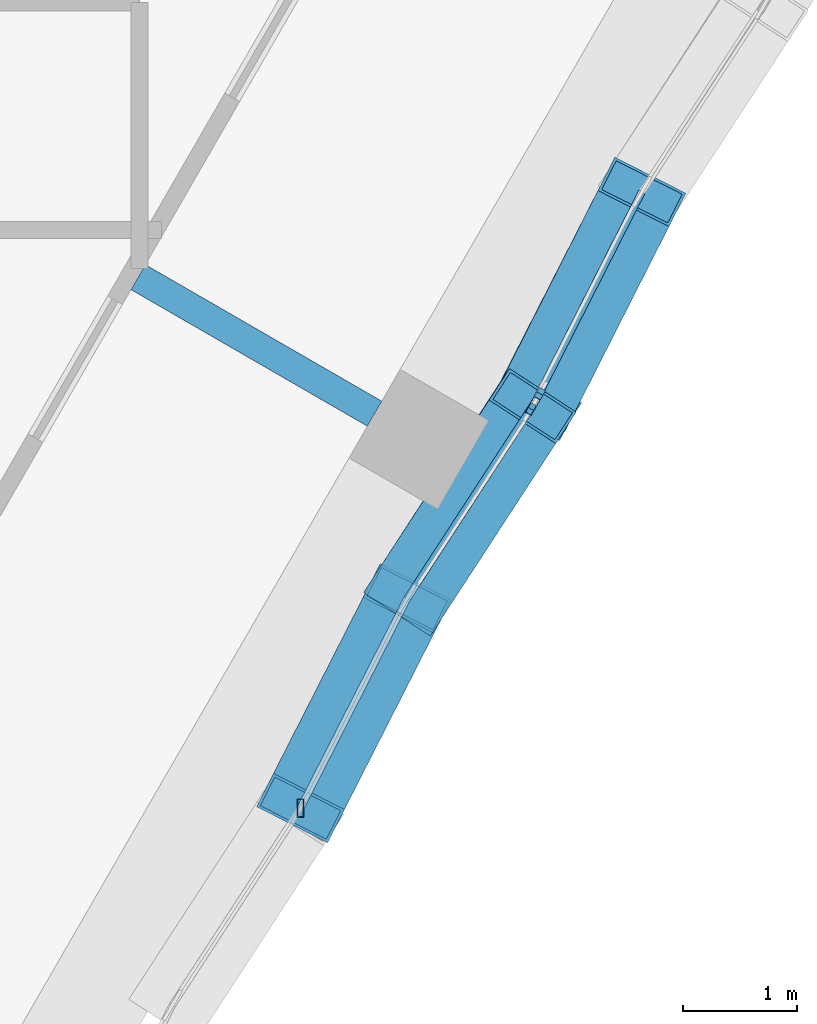
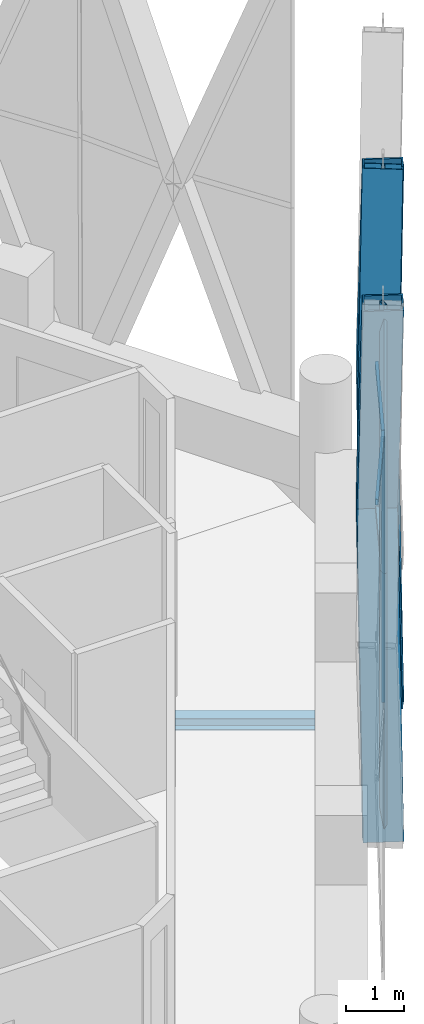
# One storey, part 8 of 18: 13 members, 1 beam, 2 elements without a shape of their own.
"""IFC4 building model written with IfcOpenShell, lengths in metres."""

from ifc_helpers import new_model, si_unit, direction, frame, origin, origin_2d, place, context, subcontext, project, spatial, hollow_rectangle, i_section, extrude, material, material_profile, profile_set, type_object, element, aggregate, save


model = new_model("IFC4")

# Units and contexts
model_context = context("Model", 3, precision=1e-05, world=origin(), true_north=direction((0.0, 1.0)))
body_context = subcontext(model_context, "Body", "Model", "MODEL_VIEW")
ifc_project = project(units=[si_unit("LENGTHUNIT", "METRE"), si_unit("AREAUNIT", "SQUARE_METRE"), si_unit("VOLUMEUNIT", "CUBIC_METRE"), si_unit("PLANEANGLEUNIT", "RADIAN"), si_unit("MASSUNIT", "GRAM", prefix="KILO")], contexts=[model_context])

# Site, building, storey
site_placement = place(None, origin())
site = spatial("IfcSite", under=ifc_project, at=site_placement, CompositionType="ELEMENT")
building_placement = place(site_placement, origin())
building = spatial("IfcBuilding", under=site, at=building_placement, Name="Ostrander Bayou Hotel Tower", CompositionType="ELEMENT")
storey_placement = place(building_placement, frame((0.0, 0.0, 214.5)))
storey = spatial("IfcBuildingStorey", under=building, at=storey_placement, Name="L53", CompositionType="ELEMENT", Elevation=214.5)

# Curtain wall, members
ifc_material_1 = material(Name="Aluminium and clear glass", Category="aluminium")
curtain_wall_type = type_object("IfcCurtainWallType", Name="CW-LAT lattice glazing", PredefinedType="NOTDEFINED", material=ifc_material_1)
curtain_wall_1_placement = place(storey_placement, origin())
curtain_wall_1 = element("IfcCurtainWall", 1, at=curtain_wall_1_placement, inside=storey, type_object=curtain_wall_type, Name="CW-LAT L53 SE 1", PredefinedType="NOTDEFINED")
ifc_material_2 = material(Name="Aluminium", Category="aluminium")
ifc_material_profile_1 = material_profile(ifc_material_2, hollow_rectangle(XDim=0.06005859375, YDim=0.159912109375, WallThickness=0.00390625, at=origin_2d()))
ifc_profile_set_1 = profile_set([ifc_material_profile_1], Name="Aluminium")
member_type_1 = type_object("IfcMemberType", Name="CW-LA mullion 60 x 160 mm", PredefinedType="MULLION", material=ifc_profile_set_1)
member_1_placement = place(storey_placement, frame((15.216064453125, -8.784912109375, -0.60009765625), z_axis=(0.0, 0.0, 1.0), x_axis=(1.0, 0.0, 0.0)))
member_1 = element("IfcMember", 2, at=member_1_placement, type_object=member_type_1, Name="CW-LAT mullion 5", PredefinedType="MULLION", context=body_context, shape_type="SweptSolid", body=[
    extrude(hollow_rectangle(XDim=0.06005859375, YDim=0.159912109375, WallThickness=0.00390625, at=origin_2d()), origin(), (0.0, 0.0, 1.0), 5.625),
])
member_2_placement = place(storey_placement, frame((15.216064453125, -8.784912109375, 5.02490234375), z_axis=(0.0, 0.0, 1.0), x_axis=(1.0, 0.0, 0.0)))
member_2 = element("IfcMember", 3, at=member_2_placement, type_object=member_type_1, Name="CW-LAT mullion 6", PredefinedType="MULLION", context=body_context, shape_type="SweptSolid", body=[
    extrude(hollow_rectangle(XDim=0.06005859375, YDim=0.159912109375, WallThickness=0.00390625, at=origin_2d()), origin(), (0.0, 0.0, 1.0), 5.625),
])
member_3_placement = place(storey_placement, frame((17.30419921875, -5.168212890625, -0.60009765625), z_axis=(-0.00420992022, -0.007291408216, 0.999964555341), x_axis=(0.866013897511, -0.50001992892, 0.0)))
member_3 = element("IfcMember", 4, at=member_3_placement, type_object=member_type_1, Name="CW-LAT mullion 9", PredefinedType="MULLION", context=body_context, shape_type="SweptSolid", body=[
    extrude(hollow_rectangle(XDim=0.06005859375, YDim=0.159912109375, WallThickness=0.00390625, at=origin_2d()), origin(), (0.0, 0.0, 1.0), 5.625244140625),
])
member_4_placement = place(storey_placement, frame((17.280517578125, -5.209228515625, 5.02490234375), z_axis=(-0.004166521053, -0.007248010581, 0.999965052612), x_axis=(0.86696238118, -0.498373584391, 0.0)))
member_4 = element("IfcMember", 5, at=member_4_placement, type_object=member_type_1, Name="CW-LAT mullion 10", PredefinedType="MULLION", context=body_context, shape_type="SweptSolid", body=[
    extrude(hollow_rectangle(XDim=0.06005859375, YDim=0.159912109375, WallThickness=0.00390625, at=origin_2d()), origin(), (0.0, 0.0, 1.0), 5.625244140625),
])
aggregate(curtain_wall_1, [member_1, member_2, member_3, member_4])

curtain_wall_2_placement = place(storey_placement, origin())
curtain_wall_2 = element("IfcCurtainWall", 6, at=curtain_wall_2_placement, inside=storey, type_object=curtain_wall_type, Name="CW-LAT L53 SE 2", PredefinedType="NOTDEFINED")
ifc_material_3 = material(Name="Aluminium", Category="aluminium")
ifc_material_profile_2 = material_profile(ifc_material_3, hollow_rectangle(XDim=0.06005859375, YDim=0.1201171875, WallThickness=0.00390625, at=origin_2d()))
ifc_profile_set_2 = profile_set([ifc_material_profile_2], Name="Aluminium")
member_type_2 = type_object("IfcMemberType", Name="CW-LA transom 60 x 120 mm", PredefinedType="USERDEFINED", material=ifc_profile_set_2)
member_5_placement = place(storey_placement, frame((15.216064453125, -8.784912109375, 5.02490234375), z_axis=(0.45348522251, 0.891263795386, 0.0), x_axis=(-0.891263795386, 0.45348522251, 0.0)))
member_5 = element("IfcMember", 7, at=member_5_placement, type_object=member_type_2, Name="CW-LAT transom 8", ObjectType="TRANSOM", PredefinedType="USERDEFINED", context=body_context, shape_type="SweptSolid", body=[
    extrude(hollow_rectangle(XDim=0.06005859375, YDim=0.1201171875, WallThickness=0.00390625, at=origin_2d()), origin(), (0.0, 0.0, 1.0), 2.0673828125),
])
member_6_placement = place(storey_placement, frame((17.280517578125, -5.209228515625, 5.02490234375), z_axis=(-0.54512532492, -0.838354567072, 0.0), x_axis=(0.838354567072, -0.54512532492, 0.0)))
member_6 = element("IfcMember", 8, at=member_6_placement, type_object=member_type_2, Name="CW-LAT transom 11", ObjectType="TRANSOM", PredefinedType="USERDEFINED", context=body_context, shape_type="SweptSolid", body=[
    extrude(hollow_rectangle(XDim=0.06005859375, YDim=0.1201171875, WallThickness=0.00390625, at=origin_2d()), origin(), (0.0, 0.0, 1.0), 2.0673828125),
])
member_7_placement = place(storey_placement, frame((17.280517578125, -5.209228515625, 5.02490234375), z_axis=(0.453437495797, 0.891288077675, 0.0), x_axis=(-0.891288077675, 0.453437495797, 0.0)))
member_7 = element("IfcMember", 9, at=member_7_placement, type_object=member_type_2, Name="CW-LAT transom 12", ObjectType="TRANSOM", PredefinedType="USERDEFINED", context=body_context, shape_type="SweptSolid", body=[
    extrude(hollow_rectangle(XDim=0.06005859375, YDim=0.1201171875, WallThickness=0.00390625, at=origin_2d()), origin(), (0.0, 0.0, 1.0), 2.067626953125),
])
aggregate(curtain_wall_2, [member_5, member_6, member_7])

# Beam
ifc_material_4 = material(Name="Steel ASTM A992", Category="steel")
ifc_material_profile_3 = material_profile(ifc_material_4, i_section(OverallWidth=0.25390625, OverallDepth=0.25341796875, WebThickness=0.008544921875, FlangeThickness=0.01416015625, at=origin_2d()))
ifc_profile_set_3 = profile_set([ifc_material_profile_3], Name="Steel ASTM A992")
beam_type = type_object("IfcBeamType", Name="LB2 loggia bracket W10x49", PredefinedType="BEAM", material=ifc_profile_set_3)
beam_placement = place(storey_placement, frame((15.867431640625, -5.316650390625, -0.4267578125), z_axis=(-0.866024647952, 0.500001309137, 0.0), x_axis=(-0.500001309137, -0.866024647952, 0.0)))
element("IfcBeam", 10, at=beam_placement, inside=storey, type_object=beam_type, Name="LB2 L53 SE2", PredefinedType="BEAM", context=body_context, shape_type="SweptSolid", body=[
    extrude(i_section(OverallWidth=0.25390625, OverallDepth=0.25341796875, WebThickness=0.008544921875, FlangeThickness=0.01416015625, at=origin_2d()), origin(), (0.0, 0.0, 1.0), 2.39990234375),
])

# Members
ifc_material_5 = material(Name="Steel ASTM A572 Gr 50", Category="steel")
ifc_material_profile_4 = material_profile(ifc_material_5, hollow_rectangle(XDim=0.699951171875, YDim=0.35009765625, WallThickness=0.02490234375, at=origin_2d()))
ifc_profile_set_4 = profile_set([ifc_material_profile_4], Name="Steel ASTM A572 Gr 50")
member_type_3 = type_object("IfcMemberType", Name="LT1 lattice member box 700 x 350 x 25 mm", PredefinedType="BRACE", material=ifc_profile_set_4)
for number, where, z_axis, x_axis, name in (
    (11, (16.153564453125, -6.9423828125, 5.02490234375), (-0.156435996819, -0.307453767706, -0.938615980912), (0.891263795386, -0.45348522251, 0.0), "LT1 L53 SE 3"),
    (12, (16.153564453125, -6.9423828125, 5.02490234375), (-0.156435996819, -0.307453767706, 0.938615980912), (0.891263795386, -0.45348522251, 0.0), "LT1 L53 SE 4"),
):
    element("IfcMember", number, at=place(storey_placement, frame(where, z_axis=z_axis, x_axis=x_axis)), inside=storey, type_object=member_type_3, Name=name, PredefinedType="BRACE", context=body_context, shape_type="SweptSolid", body=[
        extrude(hollow_rectangle(XDim=0.699951171875, YDim=0.35009765625, WallThickness=0.02490234375, at=origin_2d()), origin(), (0.0, 0.0, 1.0), 5.992919921875),
    ])
member_8_placement = place(storey_placement, frame((16.153564453125, -6.9423828125, 5.02490234375), z_axis=(0.19147414186, 0.295235007192, -0.936041635573), x_axis=(-0.838999749607, 0.544131804032, 0.0)))
element("IfcMember", 13, at=member_8_placement, inside=storey, type_object=member_type_3, Name="LT1 L53 SE 5", PredefinedType="BRACE", context=body_context, shape_type="SweptSolid", body=[
    extrude(hollow_rectangle(XDim=0.699951171875, YDim=0.35009765625, WallThickness=0.02490234375, at=origin_2d()), origin(), (0.0, 0.0, 1.0), 6.00927734375),
])
for number, where, z_axis, x_axis, name in (
    (14, (16.153564453125, -6.9423828125, 5.02490234375), (0.184632169995, 0.283157124426, 0.941133893072), (-0.837658672928, 0.546194056785, 0.0), "LT1 L53 SE 6"),
    (15, (18.218017578125, -3.366455078125, 5.02490234375), (-0.152894503593, -0.301459106737, -0.941140625909), (0.891850558653, -0.452330168162, 0.0), "LT1 L53 SE 7"),
):
    element("IfcMember", number, at=place(storey_placement, frame(where, z_axis=z_axis, x_axis=x_axis)), inside=storey, type_object=member_type_3, Name=name, PredefinedType="BRACE", context=body_context, shape_type="SweptSolid", body=[
        extrude(hollow_rectangle(XDim=0.699951171875, YDim=0.35009765625, WallThickness=0.02490234375, at=origin_2d()), origin(), (0.0, 0.0, 1.0), 5.976806640625),
    ])
member_9_placement = place(storey_placement, frame((18.218017578125, -3.366455078125, 5.02490234375), z_axis=(-0.159908212959, -0.313437973317, 0.936048075855), x_axis=(0.890772362348, -0.454449775528, 0.0)))
element("IfcMember", 16, at=member_9_placement, inside=storey, type_object=member_type_3, Name="LT1 L53 SE 8", PredefinedType="BRACE", context=body_context, shape_type="SweptSolid", body=[
    extrude(hollow_rectangle(XDim=0.699951171875, YDim=0.35009765625, WallThickness=0.02490234375, at=origin_2d()), origin(), (0.0, 0.0, 1.0), 6.00927734375),
])

save(model, "model.ifc")
